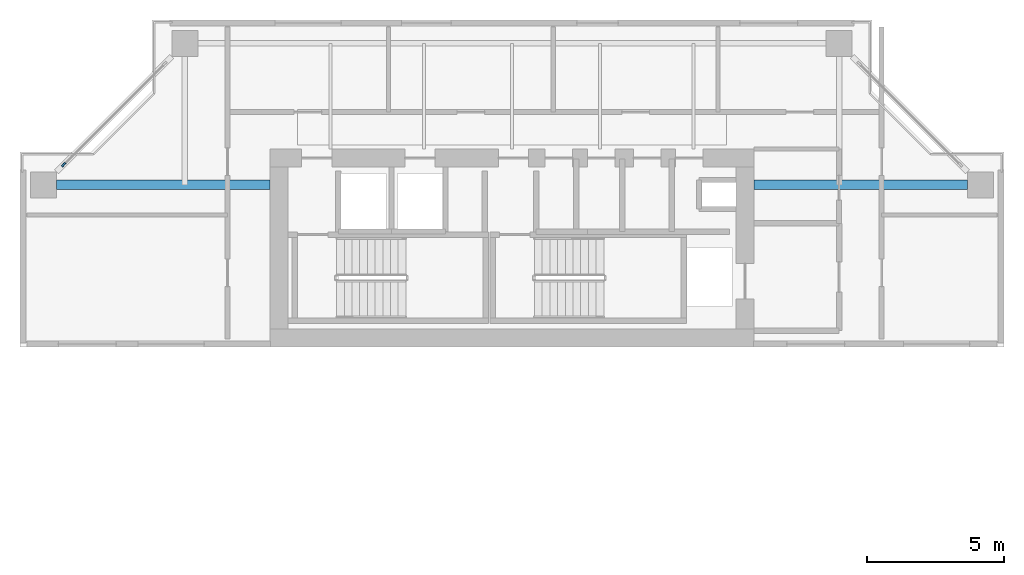
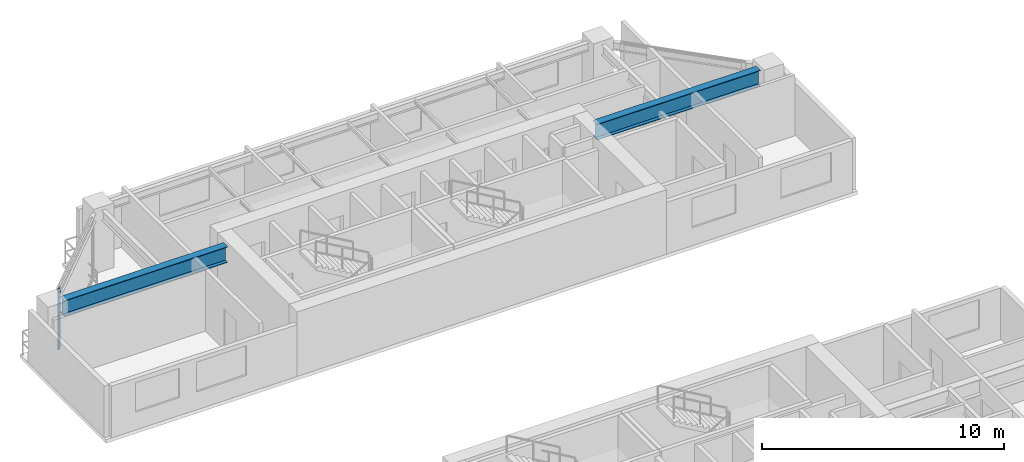
# One storey, part 3 of 12: 2 beams, 1 member, 1 element without a shape of its own.
"""IFC4 building model written with IfcOpenShell, lengths in metres."""

import ifcopenshell
import ifcopenshell.guid

model = None  # the IFC model being written
_history = None  # IfcOwnerHistory: only IFC2X3 demands one
_inside = {}  # id of a spatial element -> (the spatial element, [elements in it])
_under = {}  # id of a project, library or spatial element -> (it, [spatial elements below it])
_declared = {}  # id of a project -> (the project, [libraries it declares])
_typed = {}  # id of a type object -> (the type object, [elements of that type])
_made_of = {}  # id of a material, layer set ... -> (it, [elements and type objects made of it])


def new_model(schema):
    """Start an empty IFC model of exactly this schema.

    Asked for "IFC4X3", IfcOpenShell would pick the latest addendum, in which some entities
    have other attributes; the version numbers below select the first issue.
    IFC2X3 requires an IfcOwnerHistory on every rooted entity: one is made here for all.
    """
    global model, _history
    if schema == "IFC4X3":
        model = ifcopenshell.file(schema_version=(4, 3, 0, 0))
    else:
        model = ifcopenshell.file(schema=schema)
    _inside.clear()
    _under.clear()
    _declared.clear()
    _typed.clear()
    _made_of.clear()
    _history = None
    if model.schema == "IFC2X3":
        org = make("IfcOrganization", Name="unknown")
        user = make(
            "IfcPersonAndOrganization",
            ThePerson=make("IfcPerson", FamilyName="unknown"),
            TheOrganization=org,
        )
        app = make(
            "IfcApplication",
            ApplicationDeveloper=org,
            Version="unknown",
            ApplicationFullName="unknown",
            ApplicationIdentifier="unknown",
        )
        _history = make(
            "IfcOwnerHistory",
            OwningUser=user,
            OwningApplication=app,
            ChangeAction="ADDED",
            CreationDate=0,
        )
    return model


def make(cls, **values):
    """One entity of the class cls with the attributes given. An attribute that is None is left unset."""
    return model.create_entity(
        cls, **{name: value for name, value in values.items() if value is not None}
    )


def rooted(cls, **values):
    """An entity with a GlobalId (a new one), such as an element, a storey or a relation."""
    return make(cls, GlobalId=ifcopenshell.guid.new(), OwnerHistory=_history, **values)


def si_unit(unit_type, name, prefix=None):
    """IfcSIUnit, for example si_unit("LENGTHUNIT", "METRE", prefix="MILLI")."""
    return make("IfcSIUnit", UnitType=unit_type, Prefix=prefix, Name=name)


def assignment(units):
    """IfcUnitAssignment: the units of a project."""
    return None if units is None else make("IfcUnitAssignment", Units=units)


def point(xyz):
    """IfcCartesianPoint."""
    return None if xyz is None else make("IfcCartesianPoint", Coordinates=xyz)


def direction(xyz):
    """IfcDirection."""
    return None if xyz is None else make("IfcDirection", DirectionRatios=xyz)


def frame(location, z_axis=None, x_axis=None):
    """IfcAxis2Placement3D, a coordinate frame: its origin and axes. An axis left out is left unset."""
    return make(
        "IfcAxis2Placement3D",
        Location=point(location),
        Axis=direction(z_axis),
        RefDirection=direction(x_axis),
    )


def frame_2d(location, x_axis=None):
    """IfcAxis2Placement2D, a coordinate frame in the plane: its origin and x axis."""
    return make(
        "IfcAxis2Placement2D", Location=point(location), RefDirection=direction(x_axis)
    )


def origin():
    """The frame at (0, 0, 0) with its axes left unset."""
    return frame((0.0, 0.0, 0.0))


def origin_2d():
    """The frame at (0, 0) in the plane with its x axis left unset."""
    return frame_2d((0.0, 0.0))


def place(relative_to, where):
    """IfcLocalPlacement: puts the frame where relative to a parent placement (None: the world)."""
    return make(
        "IfcLocalPlacement", PlacementRelTo=relative_to, RelativePlacement=where
    )


def context(
    kind, dimensions, precision=None, world=None, true_north=None, identifier=None
):
    """IfcGeometricRepresentationContext, for example the 3D "Model" context."""
    return make(
        "IfcGeometricRepresentationContext",
        ContextIdentifier=identifier,
        ContextType=kind,
        CoordinateSpaceDimension=dimensions,
        Precision=precision,
        WorldCoordinateSystem=world,
        TrueNorth=true_north,
    )


def subcontext(parent, identifier, kind, view, scale=None):
    """IfcGeometricRepresentationSubContext, for example "Body" below "Model"."""
    return make(
        "IfcGeometricRepresentationSubContext",
        ContextIdentifier=identifier,
        ContextType=kind,
        ParentContext=parent,
        TargetScale=scale,
        TargetView=view,
    )


def project(units=None, contexts=None):
    """IfcProject with its units and contexts."""
    return rooted(
        "IfcProject",
        Name="project",
        RepresentationContexts=contexts,
        UnitsInContext=assignment(units),
    )


def spatial(cls, under=None, at=None, **own):
    """A site, building, storey or space (cls), placed at a placement, below another one or the project."""
    s = rooted(cls, ObjectPlacement=at, **own)
    if under is not None:
        _under.setdefault(under.id(), (under, []))[1].append(s)
    return s


def profile(cls, at=None, kind="AREA", **sizes):
    """A parametric profile (cls). Its sizes go by their IFC names, for example OverallWidth=200.0."""
    return make(cls, ProfileType=kind, Position=at, **sizes)


def rectangle(**sizes):
    """IfcRectangleProfileDef."""
    return profile("IfcRectangleProfileDef", **sizes)


def i_section(**sizes):
    """IfcIShapeProfileDef."""
    return profile("IfcIShapeProfileDef", **sizes)


def extrude(swept, where, along, depth):
    """IfcExtrudedAreaSolid: the profile swept, set in the frame where, extruded along a direction by depth."""
    return make(
        "IfcExtrudedAreaSolid",
        SweptArea=swept,
        Position=where,
        ExtrudedDirection=direction(along),
        Depth=depth,
    )


def shape(context_of_items, identifier, shape_type, items):
    """IfcShapeRepresentation: the items that make up one representation, for example the "Body"."""
    return make(
        "IfcShapeRepresentation",
        ContextOfItems=context_of_items,
        RepresentationIdentifier=identifier,
        RepresentationType=shape_type,
        Items=items,
    )


def source(mapping_origin, context_of_items, identifier, shape_type, items):
    """IfcRepresentationMap: a shape defined once, which mapped items show again and again."""
    return make(
        "IfcRepresentationMap",
        MappingOrigin=mapping_origin,
        MappedRepresentation=shape(context_of_items, identifier, shape_type, items),
    )


def transform(
    local_origin,
    x_axis=None,
    y_axis=None,
    z_axis=None,
    scale=None,
    scale2=None,
    scale3=None,
    uniform=True,
):
    """IfcCartesianTransformationOperator3D, or its non-uniform kind. x_axis, y_axis, z_axis: its Axis1, 2, 3."""
    if uniform:
        return make(
            "IfcCartesianTransformationOperator3D",
            Axis1=direction(x_axis),
            Axis2=direction(y_axis),
            LocalOrigin=point(local_origin),
            Scale=scale,
            Axis3=direction(z_axis),
        )
    return make(
        "IfcCartesianTransformationOperator3DnonUniform",
        Axis1=direction(x_axis),
        Axis2=direction(y_axis),
        LocalOrigin=point(local_origin),
        Scale=scale,
        Axis3=direction(z_axis),
        Scale2=scale2,
        Scale3=scale3,
    )


def mapped(mapping_source, mapping_target):
    """IfcMappedItem: shows the shape of a source again, moved by a transform."""
    return make(
        "IfcMappedItem", MappingSource=mapping_source, MappingTarget=mapping_target
    )


def material(Name=None, Category=None):
    """IfcMaterial."""
    return make("IfcMaterial", Name=Name, Category=Category)


def layer(
    of_material, thickness, ventilated=None, Name=None, Category=None, Priority=None
):
    """IfcMaterialLayer: one layer of a wall or slab, of a material (None: an air gap)."""
    return make(
        "IfcMaterialLayer",
        Material=of_material,
        LayerThickness=thickness,
        IsVentilated=ventilated,
        Name=Name,
        Category=Category,
        Priority=Priority,
    )


def layer_set(layers, Name=None):
    """IfcMaterialLayerSet."""
    return make("IfcMaterialLayerSet", MaterialLayers=layers, LayerSetName=Name)


def material_profile(
    of_material, cross_section, Name=None, Category=None, Priority=None
):
    """IfcMaterialProfile: a cross section and its material."""
    return make(
        "IfcMaterialProfile",
        Name=Name,
        Material=of_material,
        Profile=cross_section,
        Priority=Priority,
        Category=Category,
    )


def profile_set(profiles, Name=None, composite=None):
    """IfcMaterialProfileSet."""
    return make(
        "IfcMaterialProfileSet",
        Name=Name,
        MaterialProfiles=profiles,
        CompositeProfile=composite,
    )


def made_of(thing, what):
    """Note that an element or type object is made of a material, layer set ...; save() writes the relation."""
    if what is not None:
        _made_of.setdefault(what.id(), (what, []))[1].append(thing)
    return thing


def type_object(cls, material=None, **own):
    """A type object (cls), such as IfcWallType, which elements share."""
    return made_of(rooted(cls, **own), material)


def element(
    cls,
    number,
    at=None,
    inside=None,
    cuts=None,
    type_object=None,
    material=None,
    context=None,
    identifier="Body",
    shape_type=None,
    held_by="IfcProductDefinitionShape",
    body=None,
    shapes=None,
    **own,
):
    """One element of the class cls, such as IfcWall. Its Tag is "e" and its number.

    at: its placement. inside: the storey or other place that contains it. cuts: it is an
    opening in that element (IfcRelVoidsElement). A single representation is given by context,
    identifier, shape_type and body (its items); several are given by shapes. held_by: the class
    of the entity that holds the representations. save() writes the other relations.
    """
    e = rooted(cls, Tag="e%d" % number, ObjectPlacement=at, **own)
    if body is not None:
        shapes = [shape(context, identifier, shape_type, body)]
    if shapes is not None:
        e.Representation = make(held_by, Representations=shapes)
    if inside is not None:
        _inside.setdefault(inside.id(), (inside, []))[1].append(e)
    if cuts is not None:
        rooted(
            "IfcRelVoidsElement", RelatingBuildingElement=cuts, RelatedOpeningElement=e
        )
    if type_object is not None:
        _typed.setdefault(type_object.id(), (type_object, []))[1].append(e)
    return made_of(e, material)


def aggregate(whole, parts):
    """IfcRelAggregates: a whole, such as a stair, and the parts it consists of."""
    return rooted("IfcRelAggregates", RelatingObject=whole, RelatedObjects=parts)


def save(model, path):
    """Write the relations noted so far, then the file.

    IfcRelAggregates (storeys below a building ...), IfcRelContainedInSpatialStructure (elements
    in a storey), IfcRelDefinesByType, IfcRelAssociatesMaterial and IfcRelDeclares: one each for
    every whole, place, type object, material and project.
    """
    for whole, parts in _under.values():
        aggregate(whole, parts)
    for where, things in _inside.values():
        rooted(
            "IfcRelContainedInSpatialStructure",
            RelatedElements=things,
            RelatingStructure=where,
        )
    for kind, things in _typed.values():
        rooted("IfcRelDefinesByType", RelatedObjects=things, RelatingType=kind)
    for what, things in _made_of.values():
        rooted("IfcRelAssociatesMaterial", RelatedObjects=things, RelatingMaterial=what)
    for by, libraries in _declared.values():
        rooted("IfcRelDeclares", RelatingContext=by, RelatedDefinitions=libraries)
    model.write(path)


model = new_model("IFC4")

# Units and contexts
model_context = context("Model", 3, precision=1e-05, world=origin(), true_north=direction((0.0, 1.0)))
body_context = subcontext(model_context, "Body", "Model", "MODEL_VIEW")
ifc_project = project(units=[si_unit("LENGTHUNIT", "METRE"), si_unit("AREAUNIT", "SQUARE_METRE"), si_unit("VOLUMEUNIT", "CUBIC_METRE"), si_unit("PLANEANGLEUNIT", "RADIAN"), si_unit("MASSUNIT", "GRAM", prefix="KILO"), si_unit("THERMODYNAMICTEMPERATUREUNIT", "KELVIN"), si_unit("POWERUNIT", "WATT")], contexts=[model_context])

# Site, building, storey
site_placement = place(None, origin())
site = spatial("IfcSite", under=ifc_project, at=site_placement, CompositionType="ELEMENT")
building_placement = place(site_placement, origin())
building = spatial("IfcBuilding", under=site, at=building_placement, Name="Qiaomeng Ring Towers", CompositionType="ELEMENT")
storey_placement = place(building_placement, frame((0.0, 0.0, 163.25)))
storey = spatial("IfcBuildingStorey", under=building, at=storey_placement, Name="L47", CompositionType="ELEMENT", Elevation=163.25)

# Beams
ifc_material_1 = material(Name="Steel Q390GJC", Category="steel")
ifc_material_profile_1 = material_profile(ifc_material_1, i_section(OverallWidth=0.35009765625, OverallDepth=0.800048828125, WebThickness=0.01611328125, FlangeThickness=0.028076171875, at=origin_2d()), Name="WH 800x350x16x28")
ifc_profile_set_1 = profile_set([ifc_material_profile_1], Name="Steel Q390GJC")
beam_type = type_object("IfcBeamType", Name="STR-BM-WH800", PredefinedType="BEAM", material=ifc_profile_set_1)
shared_shape_1 = source(origin(), body_context, "Body", "SweptSolid", [
    extrude(i_section(OverallWidth=0.35009765625, OverallDepth=0.800048828125, WebThickness=0.01611328125, FlangeThickness=0.028076171875, at=origin_2d()), origin(), (0.0, 0.0, 1.0), 7.77587890625),
])
for number, where, z_axis, x_axis, name in (
    (1, (2.424072265625, 34.89990234375, 2.669921875), (1.0, 0.0, 0.0), (0.0, 1.0, 0.0), "L47 beam STR-BM-L47-T1-RAD-W4"),
    (2, (27.800048828125, 34.89990234375, 2.669921875), (1.0, 0.0, 0.0), (0.0, 1.0, 0.0), "L47 beam STR-BM-L47-T1-RAD-E4"),
):
    element("IfcBeam", number, at=place(storey_placement, frame(where, z_axis=z_axis, x_axis=x_axis)), inside=storey, type_object=beam_type, Name=name, PredefinedType="BEAM", context=body_context, shape_type="MappedRepresentation", body=[
        mapped(shared_shape_1, transform((0.0, 0.0, 0.0), x_axis=(1.0, 0.0, 0.0), y_axis=(0.0, 1.0, 0.0), z_axis=(0.0, 0.0, 1.0), scale=1.0)),
    ])

# Curtain wall, member
ifc_material_2 = material(Name="Fluorocarbon dark-grey aluminium", Category="aluminium")
ifc_layer = layer(ifc_material_2, 0.14990234375, Name="Fluorocarbon dark-grey aluminium")
ifc_layer_set = layer_set([ifc_layer], Name="Fluorocarbon dark-grey aluminium")
curtain_wall_type = type_object("IfcCurtainWallType", Name="ARC-CW-3", PredefinedType="NOTDEFINED", material=ifc_layer_set)
curtain_wall_placement = place(storey_placement, origin())
curtain_wall = element("IfcCurtainWall", 3, at=curtain_wall_placement, inside=storey, type_object=curtain_wall_type, Name="L47 Curtain Wall CW3", PredefinedType="NOTDEFINED")
ifc_material_profile_2 = material_profile(ifc_material_2, rectangle(XDim=0.070068359375, YDim=0.179931640625, at=origin_2d()), Name="ALU MULL 70x180")
ifc_profile_set_2 = profile_set([ifc_material_profile_2], Name="Fluorocarbon dark-grey aluminium")
member_type = type_object("IfcMemberType", Name="ARC-CWM-160", PredefinedType="MULLION", material=ifc_profile_set_2)
shared_shape_2 = source(origin(), body_context, "Body", "SweptSolid", [
    extrude(rectangle(XDim=0.070068359375, YDim=0.179931640625, at=origin_2d()), origin(), (0.0, 0.0, 1.0), 3.070068359375),
])
member_placement = place(storey_placement, frame((2.689697265625, 35.6396484375, 0.0), z_axis=(0.0, 0.0, 1.0), x_axis=(0.707106781187, -0.707106781187, 0.0)))
member = element("IfcMember", 4, at=member_placement, type_object=member_type, Name="CW3 mullion 2", PredefinedType="MULLION", context=body_context, shape_type="MappedRepresentation", body=[
    mapped(shared_shape_2, transform((0.0, 0.0, 0.0), x_axis=(1.0, 0.0, 0.0), y_axis=(0.0, 1.0, 0.0), z_axis=(0.0, 0.0, 1.0), scale=1.0)),
])
aggregate(curtain_wall, [member])

save(model, "model.ifc")
